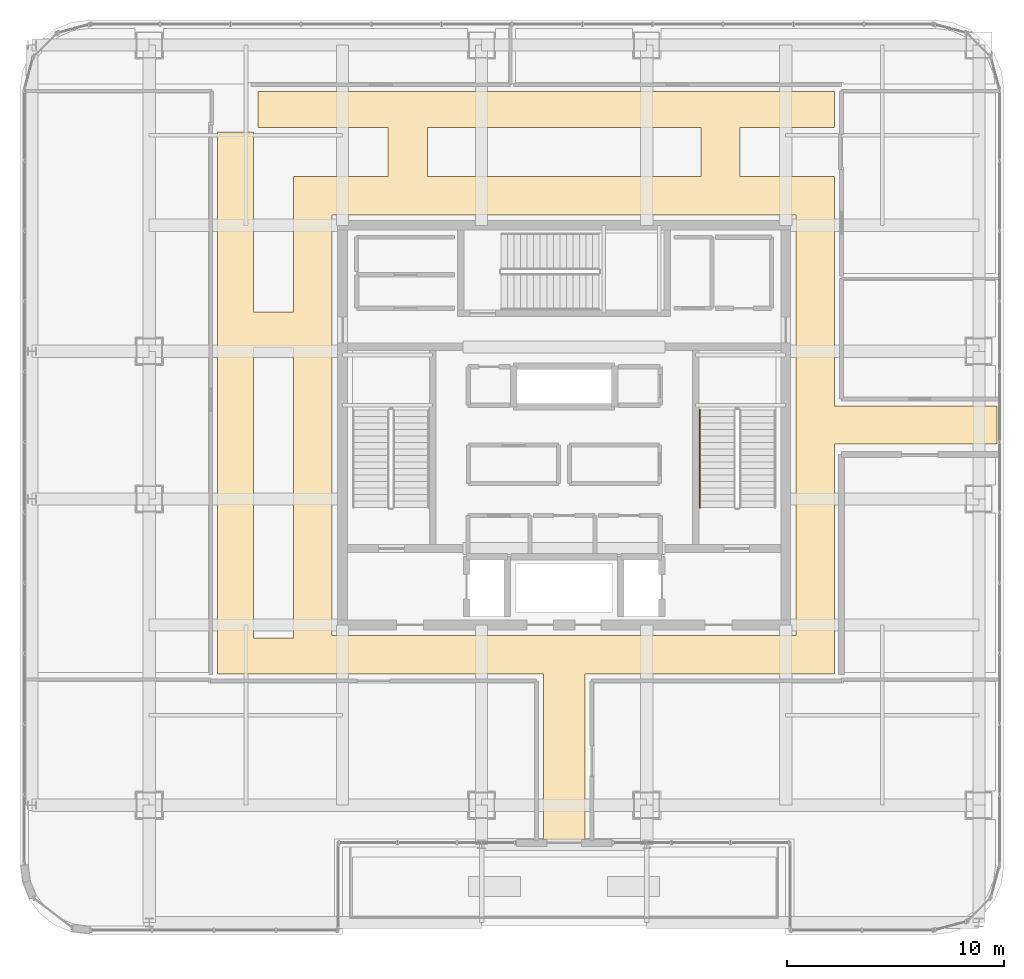
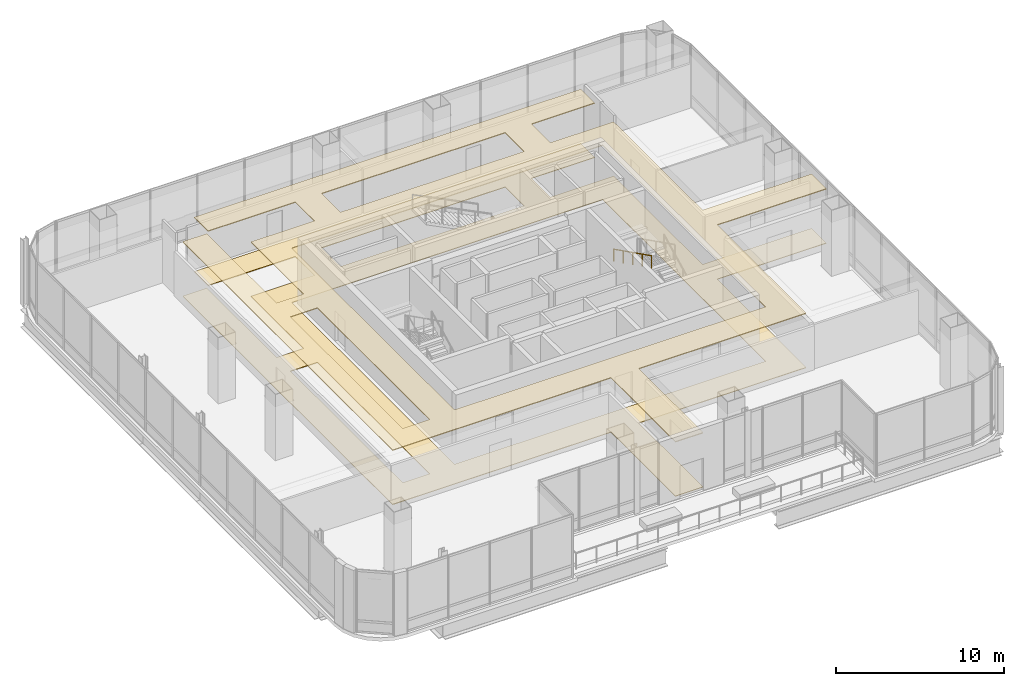
# One storey, part 41 of 44: 2 coverings, 1 railing.
"""IFC4 building model written with IfcOpenShell, lengths in metres."""

from ifc_helpers import new_model, si_unit, direction, frame, origin, origin_2d, place, context, subcontext, project, spatial, polyline, circle, outline, extrude, material, layer, layer_set, type_object, element, save


model = new_model("IFC4")

# Units and contexts
model_context = context("Model", 3, precision=1e-05, world=origin(), true_north=direction((0.0, 1.0)))
body_context = subcontext(model_context, "Body", "Model", "MODEL_VIEW")
ifc_project = project(units=[si_unit("LENGTHUNIT", "METRE"), si_unit("AREAUNIT", "SQUARE_METRE"), si_unit("VOLUMEUNIT", "CUBIC_METRE"), si_unit("PLANEANGLEUNIT", "RADIAN"), si_unit("MASSUNIT", "GRAM", prefix="KILO")], contexts=[model_context])

# Site, building, storey
site_placement = place(None, origin())
site = spatial("IfcSite", under=ifc_project, at=site_placement, CompositionType="ELEMENT")
building_placement = place(site_placement, origin())
building = spatial("IfcBuilding", under=site, at=building_placement, Name="Punatoya Terracotta Tower", CompositionType="ELEMENT")
storey_placement = place(building_placement, frame((0.0, 0.0, 334.199951171875)))
storey = spatial("IfcBuildingStorey", under=building, at=storey_placement, Name="L79", CompositionType="ELEMENT", Elevation=334.199951171875)

# Coverings
ifc_material_1 = material(Name="Acoustic Mineral Fibre Ceiling")
ifc_layer_1 = layer(ifc_material_1, 0.06005859375)
ifc_layer_set_1 = layer_set([ifc_layer_1], Name="Acoustic Mineral Fibre Ceiling")
covering_type_1 = type_object("IfcCoveringType", Name="COV-CEIL-60", PredefinedType="CEILING", material=ifc_layer_set_1)
covering_1_placement = place(storey_placement, frame((0.0, 0.0, 3.929931640625)))
element("IfcCovering", 1, at=covering_1_placement, inside=storey, type_object=covering_type_1, Name="L79 Public Sky-Deck Visitor Circulation Corridor Acoustic Ceiling", PredefinedType="CEILING", context=body_context, shape_type="SweptSolid", body=[
    extrude(outline(polyline([(0.949951171875, -11.449951171875), (12.449951171875, -11.449951171875), (12.449951171875, -0.8798828125), (19.929931640625, -0.8798828125), (19.929931640625, 0.8798828125), (12.449951171875, 0.8798828125), (12.449951171875, 11.449951171875), (8.10009765625, 11.449951171875), (8.10009765625, 13.699951171875), (12.449951171875, 13.699951171875), (12.449951171875, 15.35009765625), (-14.10009765625, 15.35009765625), (-14.10009765625, 13.699951171875), (-8.10009765625, 13.699951171875), (-8.10009765625, 11.449951171875), (-12.449951171875, 11.449951171875), (-12.449951171875, 5.199951171875), (-14.300048828125, 5.199951171875), (-14.300048828125, 13.5), (-15.949951171875, 13.5), (-15.949951171875, -11.449951171875), (-0.949951171875, -11.449951171875), (-0.949951171875, -19.110107421875), (0.949951171875, -19.110107421875), (0.949951171875, -11.449951171875)]), holes=[polyline([(10.679931640625, 9.679931640625), (10.679931640625, -9.679931640625), (-10.679931640625, -9.679931640625), (-10.679931640625, 9.679931640625), (10.679931640625, 9.679931640625)]), polyline([(6.300048828125, 13.699951171875), (6.300048828125, 11.449951171875), (-6.300048828125, 11.449951171875), (-6.300048828125, 13.699951171875), (6.300048828125, 13.699951171875)]), polyline([(-12.449951171875, 3.550048828125), (-12.449951171875, -9.800048828125), (-14.300048828125, -9.800048828125), (-14.300048828125, 3.550048828125), (-12.449951171875, 3.550048828125)])]), origin(), (0.0, 0.0, 1.0), 0.06005859375),
])
ifc_material_2 = material(Name="Sandstone & Raised Access Flooring", Category="masonry")
ifc_layer_2 = layer(ifc_material_2, 0.080078125)
ifc_layer_set_2 = layer_set([ifc_layer_2], Name="Sandstone & Raised Access Flooring")
covering_type_2 = type_object("IfcCoveringType", Name="COV-FLR-80", PredefinedType="FLOORING", material=ifc_layer_set_2)
covering_2_placement = place(storey_placement, origin())
element("IfcCovering", 2, at=covering_2_placement, inside=storey, type_object=covering_type_2, Name="L79 Public Sky-Deck Visitor Circulation Corridor Stone Floor Finish", PredefinedType="FLOORING", context=body_context, shape_type="SweptSolid", body=[
    extrude(outline(polyline([(0.949951171875, -11.449951171875), (12.449951171875, -11.449951171875), (12.449951171875, -0.8798828125), (19.929931640625, -0.8798828125), (19.929931640625, 0.8798828125), (12.449951171875, 0.8798828125), (12.449951171875, 11.449951171875), (8.10009765625, 11.449951171875), (8.10009765625, 13.699951171875), (12.449951171875, 13.699951171875), (12.449951171875, 15.35009765625), (-14.10009765625, 15.35009765625), (-14.10009765625, 13.699951171875), (-8.10009765625, 13.699951171875), (-8.10009765625, 11.449951171875), (-12.449951171875, 11.449951171875), (-12.449951171875, 5.199951171875), (-14.300048828125, 5.199951171875), (-14.300048828125, 13.5), (-15.949951171875, 13.5), (-15.949951171875, -11.449951171875), (-0.949951171875, -11.449951171875), (-0.949951171875, -19.110107421875), (0.949951171875, -19.110107421875), (0.949951171875, -11.449951171875)]), holes=[polyline([(10.679931640625, 9.679931640625), (10.679931640625, -9.679931640625), (-10.679931640625, -9.679931640625), (-10.679931640625, 9.679931640625), (10.679931640625, 9.679931640625)]), polyline([(6.300048828125, 13.699951171875), (6.300048828125, 11.449951171875), (-6.300048828125, 11.449951171875), (-6.300048828125, 13.699951171875), (6.300048828125, 13.699951171875)]), polyline([(-12.449951171875, 3.550048828125), (-12.449951171875, -9.800048828125), (-14.300048828125, -9.800048828125), (-14.300048828125, 3.550048828125), (-12.449951171875, 3.550048828125)])]), origin(), (0.0, 0.0, 1.0), 0.0400390625),
])

# Railing
ifc_material_3 = material(Name="Steel S355", Category="steel")
railing_type = type_object("IfcRailingType", Name="RLG-HND-900", PredefinedType="HANDRAIL", material=ifc_material_3)
railing_placement = place(storey_placement, frame((6.25, 0.699951171875, 2.550048828125)))
element("IfcRailing", 3, at=railing_placement, inside=storey, type_object=railing_type, Name="L79 ST-2 stair handrail 2", PredefinedType="HANDRAIL", context=body_context, shape_type="SweptSolid", body=[
    extrude(circle(Radius=0.02392578125, at=origin_2d()), frame((0.0, 0.0, 0.8759765625), z_axis=(0.0, -0.894427191, 0.4472135955), x_axis=(1.0, 0.0, 0.0)), (0.0, 0.0, 1.0), 5.03125),
    extrude(circle(Radius=0.02099609375, at=origin_2d()), origin(), (0.0, 0.0, 1.0), 0.851806640625),
    extrude(circle(Radius=0.02099609375, at=origin_2d()), frame((0.0, -1.125, 0.5625)), (0.0, 0.0, 1.0), 0.851806640625),
    extrude(circle(Radius=0.02099609375, at=origin_2d()), frame((0.0, -2.25, 1.125)), (0.0, 0.0, 1.0), 0.851806640625),
    extrude(circle(Radius=0.02099609375, at=origin_2d()), frame((0.0, -3.375, 1.6875)), (0.0, 0.0, 1.0), 0.851806640625),
    extrude(circle(Radius=0.02099609375, at=origin_2d()), frame((0.0, -4.5, 2.25)), (0.0, 0.0, 1.0), 0.851806640625),
])

save(model, "model.ifc")
